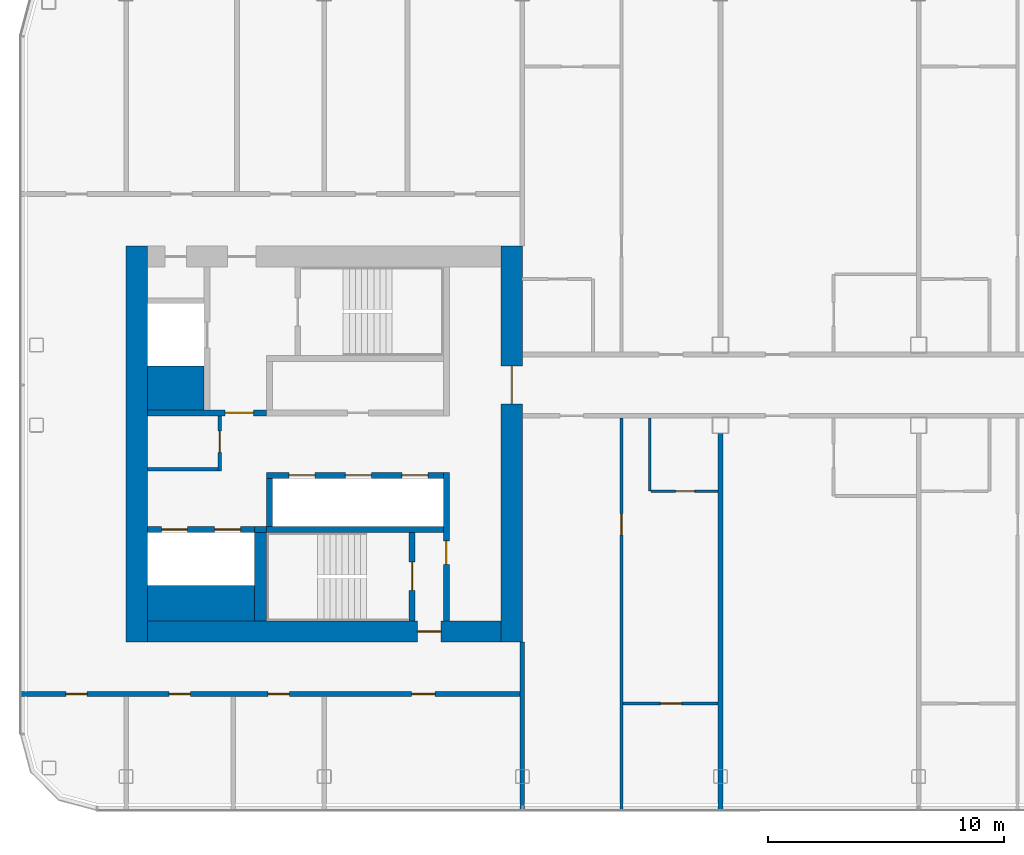
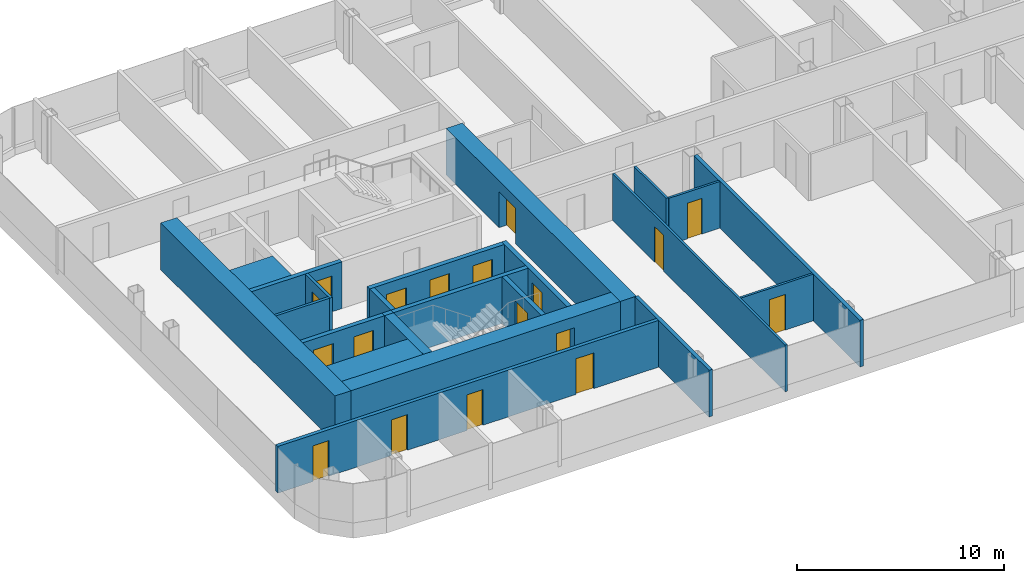
# One storey, part 13 of 26: 23 walls, 18 doors, 18 openings.
"""IFC4 building model written with IfcOpenShell, lengths in metres."""

from ifc_helpers import new_model, si_unit, direction, frame, frame_2d, origin, place, context, subcontext, project, spatial, rectangle, extrude, material, layer, layer_set, type_object, element, fill, save


model = new_model("IFC4")

# Units and contexts
model_context = context("Model", 3, precision=1e-05, world=origin(), true_north=direction((0.0, 1.0)))
body_context = subcontext(model_context, "Body", "Model", "MODEL_VIEW")
ifc_project = project(units=[si_unit("LENGTHUNIT", "METRE"), si_unit("AREAUNIT", "SQUARE_METRE"), si_unit("VOLUMEUNIT", "CUBIC_METRE"), si_unit("PLANEANGLEUNIT", "RADIAN"), si_unit("MASSUNIT", "GRAM", prefix="KILO")], contexts=[model_context])

# Site, building, storey
site_placement = place(None, origin())
site = spatial("IfcSite", under=ifc_project, at=site_placement, CompositionType="ELEMENT")
building_placement = place(site_placement, origin())
building = spatial("IfcBuilding", under=site, at=building_placement, Name="Hakoniwa Tower and Hamabe Station Hall", CompositionType="ELEMENT")
storey_placement = place(building_placement, frame((0.0, 0.0, 199.39990234375)))
storey = spatial("IfcBuildingStorey", under=building, at=storey_placement, Name="L56", CompositionType="ELEMENT", Elevation=199.39990234375)

# Wall, opening, door
ifc_material_1 = material(Name="Gypsum board partition", Category="gypsum")
ifc_layer_1 = layer(ifc_material_1, 0.125)
ifc_layer_set_1 = layer_set([ifc_layer_1], Name="Bathroom Partition 125")
wall_type_1 = type_object("IfcWallType", Name="Bathroom Partition 125", PredefinedType="PARTITIONING", material=ifc_layer_set_1)
wall_1_placement = place(storey_placement, frame((-11.33740234375, -2.0, 0.0), z_axis=(0.0, 0.0, 1.0), x_axis=(1.0, 0.0, 0.0)))
wall_1 = element("IfcWall", 1, at=wall_1_placement, inside=storey, type_object=wall_type_1, Name="GW-L56-007", PredefinedType="PARTITIONING", context=body_context, shape_type="SweptSolid", body=[
    extrude(rectangle(XDim=2.83740234375, YDim=0.125, at=frame_2d((1.418701171875, 0.0))), origin(), (0.0, 0.0, 1.0), 2.75),
])
opening_1_placement = place(wall_1_placement, frame((1.03759765625, 0.0, 0.0)))
opening_1 = element("IfcOpeningElement", 2, at=opening_1_placement, cuts=wall_1, Name="Opening GD-G4E0-13", PredefinedType="OPENING", context=body_context, shape_type="SweptSolid", body=[
    extrude(rectangle(XDim=0.800048828125, YDim=2.10009765625, at=frame_2d((0.39990234375, 1.050048828125))), frame((0.0, 0.072509765625, 0.0), z_axis=(0.0, -1.0, 0.0), x_axis=(1.0, 0.0, 0.0)), (0.0, 0.0, 1.0), 0.14501953125),
])
ifc_material_2 = material(Name="Timber door leaf", Category="wood")
door_type_1 = type_object("IfcDoorType", Name="Bathroom Door 800", OperationType="SINGLE_SWING_LEFT", PredefinedType="DOOR", material=ifc_material_2)
door_1_placement = place(opening_1_placement, origin())
door_1 = element("IfcDoor", 3, at=door_1_placement, inside=storey, type_object=door_type_1, Name="Door GD-G4E0-13", OperationType="SINGLE_SWING_RIGHT", OverallHeight=2.10009765625, OverallWidth=0.800048828125, PredefinedType="DOOR", context=body_context, shape_type="SweptSolid", body=[
    extrude(rectangle(XDim=0.800048828125, YDim=2.10009765625, at=frame_2d((0.39990234375, 1.050048828125))), frame((0.0, 0.02490234375, 0.0), z_axis=(0.0, -1.0, 0.0), x_axis=(1.0, 0.0, 0.0)), (0.0, 0.0, 1.0), 0.050048828125),
])
fill(opening_1, door_1)

# Wall
wall_2_placement = place(storey_placement, frame((-11.39990234375, -2.0, 0.0), z_axis=(0.0, 0.0, 1.0), x_axis=(0.0, 1.0, 0.0)))
element("IfcWall", 4, at=wall_2_placement, inside=storey, type_object=wall_type_1, Name="GW-L56-035", PredefinedType="PARTITIONING", context=body_context, shape_type="SweptSolid", body=[
    extrude(rectangle(XDim=3.10009765625, YDim=0.125, at=frame_2d((1.550048828125, 0.0))), origin(), (0.0, 0.0, 1.0), 2.75),
])

# Wall, opening, door
ifc_material_3 = material(Name="Gypsum board partition")
ifc_layer_2 = layer(ifc_material_3, 0.14990234375)
ifc_layer_set_2 = layer_set([ifc_layer_2], Name="CORE PARTITION 150 EI 60")
wall_type_2 = type_object("IfcWallType", Name="CORE PARTITION 150 EI 60", PredefinedType="PARTITIONING", material=ifc_layer_set_2)
wall_3_placement = place(storey_placement, frame((-29.625, -1.14990234375, 0.0), z_axis=(0.0, 0.0, 1.0), x_axis=(0.0, 1.0, 0.0)))
wall_3 = element("IfcWall", 5, at=wall_3_placement, inside=storey, type_object=wall_type_2, Name="Core partition PW0 west", PredefinedType="PARTITIONING", context=body_context, shape_type="SweptSolid", body=[
    extrude(rectangle(XDim=2.349853515625, YDim=0.14990234375, at=frame_2d((1.1748046875, 0.0))), origin(), (0.0, 0.0, 1.0), 2.75),
])
opening_2_placement = place(wall_3_placement, frame((0.800048828125, 0.0, 0.0)))
opening_2 = element("IfcOpeningElement", 6, at=opening_2_placement, cuts=wall_3, Name="Opening CD-W-RM1-9", PredefinedType="OPENING", context=body_context, shape_type="SweptSolid", body=[
    extrude(rectangle(XDim=0.89990234375, YDim=2.10009765625, at=frame_2d((0.449951171875, 1.050048828125))), frame((0.0, 0.0849609375, 0.0), z_axis=(0.0, -1.0, 0.0), x_axis=(1.0, 0.0, 0.0)), (0.0, 0.0, 1.0), 0.169921875),
])
ifc_material_4 = material(Name="Steel fire door", Category="steel")
door_type_2 = type_object("IfcDoorType", Name="CORE DOOR 900 FD30", OperationType="NOTDEFINED", PredefinedType="DOOR", material=ifc_material_4)
door_2_placement = place(opening_2_placement, origin())
door_2 = element("IfcDoor", 7, at=door_2_placement, inside=storey, type_object=door_type_2, Name="Store room door", OperationType="SINGLE_SWING_LEFT", OverallHeight=2.10009765625, OverallWidth=0.89990234375, PredefinedType="DOOR", context=body_context, shape_type="SweptSolid", body=[
    extrude(rectangle(XDim=0.89990234375, YDim=2.10009765625, at=frame_2d((0.449951171875, 1.050048828125))), frame((0.0, 0.02490234375, 0.0), z_axis=(0.0, -1.0, 0.0), x_axis=(1.0, 0.0, 0.0)), (0.0, 0.0, 1.0), 0.050048828125),
])
fill(opening_2, door_2)

# Wall
wall_4_placement = place(storey_placement, frame((-32.699951171875, -1.074951171875, 0.0), z_axis=(0.0, 0.0, 1.0), x_axis=(1.0, 0.0, 0.0)))
element("IfcWall", 8, at=wall_4_placement, inside=storey, type_object=wall_type_2, Name="Core partition PS west", PredefinedType="PARTITIONING", context=body_context, shape_type="SweptSolid", body=[
    extrude(rectangle(XDim=3.0, YDim=0.14990234375, at=frame_2d((1.5, 0.0))), origin(), (0.0, 0.0, 1.0), 2.75),
])

# Wall, opening, door
ifc_material_5 = material(Name="Concrete C60", Category="concrete")
ifc_layer_3 = layer(ifc_material_5, 0.89990234375)
ifc_layer_set_3 = layer_set([ifc_layer_3], Name="CORE WALL 900 C60")
wall_type_3 = type_object("IfcWallType", Name="CORE WALL 900 C60", PredefinedType="SHEAR", material=ifc_layer_set_3)
wall_5_placement = place(storey_placement, frame((-17.25, -8.39990234375, 0.0), z_axis=(0.0, 0.0, 1.0), x_axis=(0.0, 1.0, 0.0)))
wall_5 = element("IfcWall", 9, at=wall_5_placement, inside=storey, type_object=wall_type_3, Name="Core wall INNER west", PredefinedType="SHEAR", context=body_context, shape_type="SweptSolid", body=[
    extrude(rectangle(XDim=16.7998046875, YDim=0.89990234375, at=frame_2d((8.39990234375, 0.0))), origin(), (0.0, 0.0, 1.0), 2.75),
])
opening_3_placement = place(wall_5_placement, frame((10.10009765625, 0.0, 0.0)))
opening_3 = element("IfcOpeningElement", 10, at=opening_3_placement, cuts=wall_5, Name="Opening CD-W-IN1-16", PredefinedType="OPENING", context=body_context, shape_type="SweptSolid", body=[
    extrude(rectangle(XDim=1.60009765625, YDim=2.10009765625, at=frame_2d((0.800048828125, 1.050048828125))), frame((0.0, 0.4599609375, 0.0), z_axis=(0.0, -1.0, 0.0), x_axis=(1.0, 0.0, 0.0)), (0.0, 0.0, 1.0), 0.919921875),
])
ifc_material_6 = material(Name="Steel fire door", Category="steel")
door_type_3 = type_object("IfcDoorType", Name="CORE DOOR 1600 FD60", OperationType="DOUBLE_DOOR_SINGLE_SWING", PredefinedType="DOOR", material=ifc_material_6)
door_3_placement = place(opening_3_placement, origin())
door_3 = element("IfcDoor", 11, at=door_3_placement, inside=storey, type_object=door_type_3, Name="Lift lobby door", OperationType="DOUBLE_DOOR_SINGLE_SWING", OverallHeight=2.10009765625, OverallWidth=1.60009765625, PredefinedType="DOOR", context=body_context, shape_type="SweptSolid", body=[
    extrude(rectangle(XDim=1.60009765625, YDim=2.10009765625, at=frame_2d((0.800048828125, 1.050048828125))), frame((0.0, 0.02490234375, 0.0), z_axis=(0.0, -1.0, 0.0), x_axis=(1.0, 0.0, 0.0)), (0.0, 0.0, 1.0), 0.050048828125),
])
fill(opening_3, door_3)

# Wall
wall_6_placement = place(storey_placement, frame((-33.14990234375, -8.39990234375, 0.0), z_axis=(0.0, 0.0, 1.0), x_axis=(0.0, 1.0, 0.0)))
element("IfcWall", 12, at=wall_6_placement, inside=storey, type_object=wall_type_3, Name="Core wall OUTER west", PredefinedType="SHEAR", context=body_context, shape_type="SweptSolid", body=[
    extrude(rectangle(XDim=16.7998046875, YDim=0.89990234375, at=frame_2d((8.39990234375, 0.0))), origin(), (0.0, 0.0, 1.0), 2.75),
])

# Wall, opening, door
wall_7_placement = place(storey_placement, frame((-32.699951171875, -7.949951171875, 0.0), z_axis=(0.0, 0.0, 1.0), x_axis=(1.0, 0.0, 0.0)))
wall_7 = element("IfcWall", 13, at=wall_7_placement, inside=storey, type_object=wall_type_3, Name="Core wall SOUTH west", PredefinedType="SHEAR", context=body_context, shape_type="SweptSolid", body=[
    extrude(rectangle(XDim=15.0, YDim=0.89990234375, at=frame_2d((7.5, 0.0))), origin(), (0.0, 0.0, 1.0), 2.75),
])
opening_4_placement = place(wall_7_placement, frame((11.449951171875, 0.0, 0.0)))
opening_4 = element("IfcOpeningElement", 14, at=opening_4_placement, cuts=wall_7, Name="Opening CD-W-FS3-10", PredefinedType="OPENING", context=body_context, shape_type="SweptSolid", body=[
    extrude(rectangle(XDim=1.0, YDim=2.10009765625, at=frame_2d((0.5, 1.050048828125))), frame((0.0, 0.4599609375, 0.0), z_axis=(0.0, -1.0, 0.0), x_axis=(1.0, 0.0, 0.0)), (0.0, 0.0, 1.0), 0.919921875),
])
ifc_material_7 = material(Name="Steel fire door", Category="steel")
door_type_4 = type_object("IfcDoorType", Name="CORE DOOR 1000 FD60", OperationType="NOTDEFINED", PredefinedType="DOOR", material=ifc_material_7)
door_4_placement = place(opening_4_placement, origin())
door_4 = element("IfcDoor", 15, at=door_4_placement, inside=storey, type_object=door_type_4, Name="Stair vestibule door", OperationType="SINGLE_SWING_RIGHT", OverallHeight=2.10009765625, OverallWidth=1.0, PredefinedType="DOOR", context=body_context, shape_type="SweptSolid", body=[
    extrude(rectangle(XDim=1.0, YDim=2.10009765625, at=frame_2d((0.5, 1.050048828125))), frame((0.0, 0.02490234375, 0.0), z_axis=(0.0, -1.0, 0.0), x_axis=(1.0, 0.0, 0.0)), (0.0, 0.0, 1.0), 0.050048828125),
])
fill(opening_4, door_4)

# Walls
ifc_material_8 = material(Name="Concrete C60", Category="concrete")
ifc_layer_4 = layer(ifc_material_8, 1.5)
ifc_layer_set_4 = layer_set([ifc_layer_4], Name="CORE WEB WALL 1500 C60")
wall_type_4 = type_object("IfcWallType", Name="CORE WEB WALL 1500 C60", PredefinedType="SHEAR", material=ifc_layer_set_4)
wall_8_placement = place(storey_placement, frame((-32.699951171875, -6.75, 0.0), z_axis=(0.0, 0.0, 1.0), x_axis=(1.0, 0.0, 0.0)))
element("IfcWall", 16, at=wall_8_placement, inside=storey, type_object=wall_type_4, Name="Core wall SER west", PredefinedType="SHEAR", context=body_context, shape_type="SweptSolid", body=[
    extrude(rectangle(XDim=4.550048828125, YDim=1.5, at=frame_2d((2.27490234375, 0.0))), origin(), (0.0, 0.0, 1.0), 2.75),
])
ifc_material_9 = material(Name="Concrete C60", Category="concrete")
ifc_layer_5 = layer(ifc_material_9, 1.85009765625)
ifc_layer_set_5 = layer_set([ifc_layer_5], Name="CORE WEB WALL 1850 C60")
wall_type_5 = type_object("IfcWallType", Name="CORE WEB WALL 1850 C60", PredefinedType="SHEAR", material=ifc_layer_set_5)
wall_9_placement = place(storey_placement, frame((-32.699951171875, 2.375, 0.0), z_axis=(0.0, 0.0, 1.0), x_axis=(1.0, 0.0, 0.0)))
element("IfcWall", 17, at=wall_9_placement, inside=storey, type_object=wall_type_5, Name="Core wall CA west", PredefinedType="SHEAR", context=body_context, shape_type="SweptSolid", body=[
    extrude(rectangle(XDim=2.39990234375, YDim=1.85009765625, at=frame_2d((1.199951171875, 0.0))), origin(), (0.0, 0.0, 1.0), 2.75),
])

# Wall, opening, door
ifc_material_10 = material(Name="Concrete C60", Category="concrete")
ifc_layer_6 = layer(ifc_material_10, 0.25)
ifc_layer_set_6 = layer_set([ifc_layer_6], Name="CORE WEB WALL 250 C60")
wall_type_6 = type_object("IfcWallType", Name="CORE WEB WALL 250 C60", PredefinedType="SHEAR", material=ifc_layer_set_6)
wall_10_placement = place(storey_placement, frame((-20.02490234375, -7.5, 0.0), z_axis=(0.0, 0.0, 1.0), x_axis=(0.0, 1.0, 0.0)))
wall_10 = element("IfcWall", 18, at=wall_10_placement, inside=storey, type_object=wall_type_6, Name="Core wall W1S west", PredefinedType="SHEAR", context=body_context, shape_type="SweptSolid", body=[
    extrude(rectangle(XDim=6.300048828125, YDim=0.25, at=frame_2d((3.14990234375, 0.0))), origin(), (0.0, 0.0, 1.0), 2.75),
])
opening_5_placement = place(wall_10_placement, frame((2.39990234375, 0.0, 0.0)))
opening_5 = element("IfcOpeningElement", 19, at=opening_5_placement, cuts=wall_10, Name="Opening CD-W-VS-10", PredefinedType="OPENING", context=body_context, shape_type="SweptSolid", body=[
    extrude(rectangle(XDim=1.0, YDim=2.10009765625, at=frame_2d((0.5, 1.050048828125))), frame((0.0, 0.135009765625, 0.0), z_axis=(0.0, -1.0, 0.0), x_axis=(1.0, 0.0, 0.0)), (0.0, 0.0, 1.0), 0.27001953125),
])
door_5_placement = place(opening_5_placement, origin())
door_5 = element("IfcDoor", 20, at=door_5_placement, inside=storey, type_object=door_type_4, Name="Stair vestibule door", OperationType="SINGLE_SWING_LEFT", OverallHeight=2.10009765625, OverallWidth=1.0, PredefinedType="DOOR", context=body_context, shape_type="SweptSolid", body=[
    extrude(rectangle(XDim=1.0, YDim=2.10009765625, at=frame_2d((0.5, 1.050048828125))), frame((0.0, 0.02490234375, 0.0), z_axis=(0.0, -1.0, 0.0), x_axis=(1.0, 0.0, 0.0)), (0.0, 0.0, 1.0), 0.050048828125),
])
fill(opening_5, door_5)

wall_11_placement = place(storey_placement, frame((-32.699951171875, 1.324951171875, 0.0), z_axis=(0.0, 0.0, 1.0), x_axis=(1.0, 0.0, 0.0)))
wall_11 = element("IfcWall", 21, at=wall_11_placement, inside=storey, type_object=wall_type_6, Name="Core wall ELN west", PredefinedType="SHEAR", context=body_context, shape_type="SweptSolid", body=[
    extrude(rectangle(XDim=5.050048828125, YDim=0.25, at=frame_2d((2.52490234375, 0.0))), origin(), (0.0, 0.0, 1.0), 2.75),
])
opening_6_placement = place(wall_11_placement, frame((3.300048828125, 0.0, 0.0)))
opening_6 = element("IfcOpeningElement", 22, at=opening_6_placement, cuts=wall_11, Name="Opening CD-W-FL-12", PredefinedType="OPENING", context=body_context, shape_type="SweptSolid", body=[
    extrude(rectangle(XDim=1.199951171875, YDim=2.10009765625, at=frame_2d((0.60009765625, 1.050048828125))), frame((0.0, 0.135009765625, 0.0), z_axis=(0.0, -1.0, 0.0), x_axis=(1.0, 0.0, 0.0)), (0.0, 0.0, 1.0), 0.27001953125),
])
ifc_material_11 = material(Name="Steel fire door", Category="steel")
door_type_5 = type_object("IfcDoorType", Name="CORE DOOR 1200 FD60", OperationType="DOUBLE_DOOR_SINGLE_SWING", PredefinedType="DOOR", material=ifc_material_11)
door_6_placement = place(opening_6_placement, origin())
door_6 = element("IfcDoor", 23, at=door_6_placement, inside=storey, type_object=door_type_5, Name="Stair vestibule door to the fire-fighting lobby", OperationType="DOUBLE_DOOR_SINGLE_SWING", OverallHeight=2.10009765625, OverallWidth=1.199951171875, PredefinedType="DOOR", context=body_context, shape_type="SweptSolid", body=[
    extrude(rectangle(XDim=1.199951171875, YDim=2.10009765625, at=frame_2d((0.60009765625, 1.050048828125))), frame((0.0, 0.02490234375, 0.0), z_axis=(0.0, -1.0, 0.0), x_axis=(1.0, 0.0, 0.0)), (0.0, 0.0, 1.0), 0.050048828125),
])
fill(opening_6, door_6)

# Wall, openings, doors
wall_12_placement = place(storey_placement, frame((-27.64990234375, -1.324951171875, 0.0), z_axis=(0.0, 0.0, 1.0), x_axis=(1.0, 0.0, 0.0)))
wall_12 = element("IfcWall", 24, at=wall_12_placement, inside=storey, type_object=wall_type_6, Name="Core wall SF west", PredefinedType="SHEAR", context=body_context, shape_type="SweptSolid", body=[
    extrude(rectangle(XDim=7.5, YDim=0.25, at=frame_2d((3.75, 0.0))), origin(), (0.0, 0.0, 1.0), 2.75),
])
opening_7_placement = place(wall_12_placement, frame((5.75, 0.0, 0.0)))
opening_7 = element("IfcOpeningElement", 25, at=opening_7_placement, cuts=wall_12, Name="Opening LD-HR1", PredefinedType="OPENING", context=body_context, shape_type="SweptSolid", body=[
    extrude(rectangle(XDim=1.10009765625, YDim=2.10009765625, at=frame_2d((0.550048828125, 1.050048828125))), frame((0.0, 0.135009765625, 0.0), z_axis=(0.0, -1.0, 0.0), x_axis=(1.0, 0.0, 0.0)), (0.0, 0.0, 1.0), 0.27001953125),
])
opening_8_placement = place(wall_12_placement, frame((3.35009765625, 0.0, 0.0)))
opening_8 = element("IfcOpeningElement", 26, at=opening_8_placement, cuts=wall_12, Name="Opening LD-HR2", PredefinedType="OPENING", context=body_context, shape_type="SweptSolid", body=[
    extrude(rectangle(XDim=1.10009765625, YDim=2.10009765625, at=frame_2d((0.550048828125, 1.050048828125))), frame((0.0, 0.135009765625, 0.0), z_axis=(0.0, -1.0, 0.0), x_axis=(1.0, 0.0, 0.0)), (0.0, 0.0, 1.0), 0.27001953125),
])
opening_9_placement = place(wall_12_placement, frame((0.949951171875, 0.0, 0.0)))
opening_9 = element("IfcOpeningElement", 27, at=opening_9_placement, cuts=wall_12, Name="Opening LD-HR3", PredefinedType="OPENING", context=body_context, shape_type="SweptSolid", body=[
    extrude(rectangle(XDim=1.10009765625, YDim=2.10009765625, at=frame_2d((0.550048828125, 1.050048828125))), frame((0.0, 0.135009765625, 0.0), z_axis=(0.0, -1.0, 0.0), x_axis=(1.0, 0.0, 0.0)), (0.0, 0.0, 1.0), 0.27001953125),
])
ifc_material_12 = material(Name="Stainless steel SUS304", Category="steel")
door_type_6 = type_object("IfcDoorType", Name="LIFT LANDING DOOR 1100 FD60", OperationType="DOUBLE_DOOR_SLIDING", PredefinedType="DOOR", material=ifc_material_12)
door_7_placement = place(opening_7_placement, origin())
door_7 = element("IfcDoor", 28, at=door_7_placement, inside=storey, type_object=door_type_6, Name="Lift landing door HR1 L56", OperationType="DOUBLE_DOOR_SLIDING", OverallHeight=2.10009765625, OverallWidth=1.10009765625, PredefinedType="DOOR", context=body_context, shape_type="SweptSolid", body=[
    extrude(rectangle(XDim=1.10009765625, YDim=2.10009765625, at=frame_2d((0.550048828125, 1.050048828125))), frame((0.0, 0.02490234375, 0.0), z_axis=(0.0, -1.0, 0.0), x_axis=(1.0, 0.0, 0.0)), (0.0, 0.0, 1.0), 0.050048828125),
])
fill(opening_7, door_7)
door_8_placement = place(opening_8_placement, origin())
door_8 = element("IfcDoor", 29, at=door_8_placement, inside=storey, type_object=door_type_6, Name="Lift landing door HR2 L56", OperationType="DOUBLE_DOOR_SLIDING", OverallHeight=2.10009765625, OverallWidth=1.10009765625, PredefinedType="DOOR", context=body_context, shape_type="SweptSolid", body=[
    extrude(rectangle(XDim=1.10009765625, YDim=2.10009765625, at=frame_2d((0.550048828125, 1.050048828125))), frame((0.0, 0.02490234375, 0.0), z_axis=(0.0, -1.0, 0.0), x_axis=(1.0, 0.0, 0.0)), (0.0, 0.0, 1.0), 0.050048828125),
])
fill(opening_8, door_8)
door_9_placement = place(opening_9_placement, origin())
door_9 = element("IfcDoor", 30, at=door_9_placement, inside=storey, type_object=door_type_6, Name="Lift landing door HR3 L56", OperationType="DOUBLE_DOOR_SLIDING", OverallHeight=2.10009765625, OverallWidth=1.10009765625, PredefinedType="DOOR", context=body_context, shape_type="SweptSolid", body=[
    extrude(rectangle(XDim=1.10009765625, YDim=2.10009765625, at=frame_2d((0.550048828125, 1.050048828125))), frame((0.0, 0.02490234375, 0.0), z_axis=(0.0, -1.0, 0.0), x_axis=(1.0, 0.0, 0.0)), (0.0, 0.0, 1.0), 0.050048828125),
])
fill(opening_9, door_9)

# Walls
wall_13_placement = place(storey_placement, frame((-27.52490234375, -3.5, 0.0), z_axis=(0.0, 0.0, 1.0), x_axis=(0.0, 1.0, 0.0)))
element("IfcWall", 31, at=wall_13_placement, inside=storey, type_object=wall_type_6, Name="Core wall SE west", PredefinedType="SHEAR", context=body_context, shape_type="SweptSolid", body=[
    extrude(rectangle(XDim=2.050048828125, YDim=0.25, at=frame_2d((1.02490234375, 0.0))), origin(), (0.0, 0.0, 1.0), 2.75),
])
wall_14_placement = place(storey_placement, frame((-27.64990234375, -3.625, 0.0), z_axis=(0.0, 0.0, 1.0), x_axis=(1.0, 0.0, 0.0)))
element("IfcWall", 32, at=wall_14_placement, inside=storey, type_object=wall_type_6, Name="Core wall SR west", PredefinedType="SHEAR", context=body_context, shape_type="SweptSolid", body=[
    extrude(rectangle(XDim=7.5, YDim=0.25, at=frame_2d((3.75, 0.0))), origin(), (0.0, 0.0, 1.0), 2.75),
])

# Wall, opening, door
wall_15_placement = place(storey_placement, frame((-21.47509765625, -7.5, 0.0), z_axis=(0.0, 0.0, 1.0), x_axis=(0.0, 1.0, 0.0)))
wall_15 = element("IfcWall", 33, at=wall_15_placement, inside=storey, type_object=wall_type_6, Name="Core wall VE west", PredefinedType="SHEAR", context=body_context, shape_type="SweptSolid", body=[
    extrude(rectangle(XDim=3.75, YDim=0.25, at=frame_2d((1.875, 0.0))), origin(), (0.0, 0.0, 1.0), 2.75),
])
opening_10_placement = place(wall_15_placement, frame((1.300048828125, 0.0, 0.0)))
opening_10 = element("IfcOpeningElement", 34, at=opening_10_placement, cuts=wall_15, Name="Opening CD-W-SS-12", PredefinedType="OPENING", context=body_context, shape_type="SweptSolid", body=[
    extrude(rectangle(XDim=1.199951171875, YDim=2.10009765625, at=frame_2d((0.60009765625, 1.050048828125))), frame((0.0, 0.135009765625, 0.0), z_axis=(0.0, -1.0, 0.0), x_axis=(1.0, 0.0, 0.0)), (0.0, 0.0, 1.0), 0.27001953125),
])
door_10_placement = place(opening_10_placement, origin())
door_10 = element("IfcDoor", 35, at=door_10_placement, inside=storey, type_object=door_type_5, Name="Escape stair door", OperationType="DOUBLE_DOOR_SINGLE_SWING", OverallHeight=2.10009765625, OverallWidth=1.199951171875, PredefinedType="DOOR", context=body_context, shape_type="SweptSolid", body=[
    extrude(rectangle(XDim=1.199951171875, YDim=2.10009765625, at=frame_2d((0.60009765625, 1.050048828125))), frame((0.0, 0.02490234375, 0.0), z_axis=(0.0, -1.0, 0.0), x_axis=(1.0, 0.0, 0.0)), (0.0, 0.0, 1.0), 0.050048828125),
])
fill(opening_10, door_10)

# Wall, openings, doors
wall_16_placement = place(storey_placement, frame((-32.699951171875, -3.625, 0.0), z_axis=(0.0, 0.0, 1.0), x_axis=(1.0, 0.0, 0.0)))
wall_16 = element("IfcWall", 36, at=wall_16_placement, inside=storey, type_object=wall_type_6, Name="Core wall SEF west", PredefinedType="SHEAR", context=body_context, shape_type="SweptSolid", body=[
    extrude(rectangle(XDim=4.550048828125, YDim=0.25, at=frame_2d((2.27490234375, 0.0))), origin(), (0.0, 0.0, 1.0), 2.75),
])
opening_11_placement = place(wall_16_placement, frame((2.85009765625, 0.0, 0.0)))
opening_11 = element("IfcOpeningElement", 37, at=opening_11_placement, cuts=wall_16, Name="Opening LD-SV1", PredefinedType="OPENING", context=body_context, shape_type="SweptSolid", body=[
    extrude(rectangle(XDim=1.10009765625, YDim=2.10009765625, at=frame_2d((0.550048828125, 1.050048828125))), frame((0.0, 0.135009765625, 0.0), z_axis=(0.0, -1.0, 0.0), x_axis=(1.0, 0.0, 0.0)), (0.0, 0.0, 1.0), 0.27001953125),
])
opening_12_placement = place(wall_16_placement, frame((0.60009765625, 0.0, 0.0)))
opening_12 = element("IfcOpeningElement", 38, at=opening_12_placement, cuts=wall_16, Name="Opening LD-SV2", PredefinedType="OPENING", context=body_context, shape_type="SweptSolid", body=[
    extrude(rectangle(XDim=1.10009765625, YDim=2.10009765625, at=frame_2d((0.550048828125, 1.050048828125))), frame((0.0, 0.135009765625, 0.0), z_axis=(0.0, -1.0, 0.0), x_axis=(1.0, 0.0, 0.0)), (0.0, 0.0, 1.0), 0.27001953125),
])
door_11_placement = place(opening_11_placement, origin())
door_11 = element("IfcDoor", 39, at=door_11_placement, inside=storey, type_object=door_type_6, Name="Lift landing door SV1 L56", OperationType="DOUBLE_DOOR_SLIDING", OverallHeight=2.10009765625, OverallWidth=1.10009765625, PredefinedType="DOOR", context=body_context, shape_type="SweptSolid", body=[
    extrude(rectangle(XDim=1.10009765625, YDim=2.10009765625, at=frame_2d((0.550048828125, 1.050048828125))), frame((0.0, 0.02490234375, 0.0), z_axis=(0.0, -1.0, 0.0), x_axis=(1.0, 0.0, 0.0)), (0.0, 0.0, 1.0), 0.050048828125),
])
fill(opening_11, door_11)
door_12_placement = place(opening_12_placement, origin())
door_12 = element("IfcDoor", 40, at=door_12_placement, inside=storey, type_object=door_type_6, Name="Lift landing door SV2 L56", OperationType="DOUBLE_DOOR_SLIDING", OverallHeight=2.10009765625, OverallWidth=1.10009765625, PredefinedType="DOOR", context=body_context, shape_type="SweptSolid", body=[
    extrude(rectangle(XDim=1.10009765625, YDim=2.10009765625, at=frame_2d((0.550048828125, 1.050048828125))), frame((0.0, 0.02490234375, 0.0), z_axis=(0.0, -1.0, 0.0), x_axis=(1.0, 0.0, 0.0)), (0.0, 0.0, 1.0), 0.050048828125),
])
fill(opening_12, door_12)

# Walls
wall_17_placement = place(storey_placement, frame((-28.14990234375, -3.625, 0.0), z_axis=(0.0, 0.0, 1.0), x_axis=(1.0, 0.0, 0.0)))
element("IfcWall", 41, at=wall_17_placement, inside=storey, type_object=wall_type_6, Name="Core wall SRK west", PredefinedType="SHEAR", context=body_context, shape_type="SweptSolid", body=[
    extrude(rectangle(XDim=0.5, YDim=0.25, at=frame_2d((0.25, 0.0))), origin(), (0.0, 0.0, 1.0), 2.75),
])
ifc_material_13 = material(Name="Concrete C60", Category="concrete")
ifc_layer_7 = layer(ifc_material_13, 0.5)
ifc_layer_set_7 = layer_set([ifc_layer_7], Name="CORE WEB WALL 500 C60")
wall_type_7 = type_object("IfcWallType", Name="CORE WEB WALL 500 C60", PredefinedType="SHEAR", material=ifc_layer_set_7)
wall_18_placement = place(storey_placement, frame((-27.89990234375, -7.5, 0.0), z_axis=(0.0, 0.0, 1.0), x_axis=(0.0, 1.0, 0.0)))
element("IfcWall", 42, at=wall_18_placement, inside=storey, type_object=wall_type_7, Name="Core wall SSE west", PredefinedType="SHEAR", context=body_context, shape_type="SweptSolid", body=[
    extrude(rectangle(XDim=3.75, YDim=0.5, at=frame_2d((1.875, 0.0))), origin(), (0.0, 0.0, 1.0), 2.75),
])

# Wall, openings, doors
ifc_material_14 = material(Name="Fire-rated gypsum board partition", Category="gypsum")
ifc_layer_8 = layer(ifc_material_14, 0.199951171875)
ifc_layer_set_8 = layer_set([ifc_layer_8], Name="Corridor Wall 200")
wall_type_8 = type_object("IfcWallType", Name="Corridor Wall 200", PredefinedType="PARTITIONING", material=ifc_layer_set_8)
wall_19_placement = place(storey_placement, frame((-38.10009765625, -10.60009765625, 0.0), z_axis=(0.0, 0.0, 1.0), x_axis=(1.0, 0.0, 0.0)))
wall_19 = element("IfcWall", 43, at=wall_19_placement, inside=storey, type_object=wall_type_8, Name="GW-L56-004", PredefinedType="PARTITIONING", context=body_context, shape_type="SweptSolid", body=[
    extrude(rectangle(XDim=21.300048828125, YDim=0.199951171875, at=frame_2d((10.64990234375, 0.0))), origin(), (0.0, 0.0, 1.0), 2.75),
])
opening_13_placement = place(wall_19_placement, frame((1.949951171875, 0.0, 0.0)))
opening_13 = element("IfcOpeningElement", 44, at=opening_13_placement, cuts=wall_19, Name="Opening GD-G4E0-04", PredefinedType="OPENING", context=body_context, shape_type="SweptSolid", body=[
    extrude(rectangle(XDim=0.89990234375, YDim=2.10009765625, at=frame_2d((0.449951171875, 1.050048828125))), frame((0.0, 0.10986328125, 0.0), z_axis=(0.0, -1.0, 0.0), x_axis=(1.0, 0.0, 0.0)), (0.0, 0.0, 1.0), 0.219970703125),
])
opening_14_placement = place(wall_19_placement, frame((6.320068359375, 0.0, 0.0)))
opening_14 = element("IfcOpeningElement", 45, at=opening_14_placement, cuts=wall_19, Name="Opening GD-G4E0-05", PredefinedType="OPENING", context=body_context, shape_type="SweptSolid", body=[
    extrude(rectangle(XDim=0.89990234375, YDim=2.10009765625, at=frame_2d((0.449951171875, 1.050048828125))), frame((0.0, 0.10986328125, 0.0), z_axis=(0.0, -1.0, 0.0), x_axis=(1.0, 0.0, 0.0)), (0.0, 0.0, 1.0), 0.219970703125),
])
opening_15_placement = place(wall_19_placement, frame((10.52001953125, 0.0, 0.0)))
opening_15 = element("IfcOpeningElement", 46, at=opening_15_placement, cuts=wall_19, Name="Opening GD-G4E0-06", PredefinedType="OPENING", context=body_context, shape_type="SweptSolid", body=[
    extrude(rectangle(XDim=0.89990234375, YDim=2.10009765625, at=frame_2d((0.449951171875, 1.050048828125))), frame((0.0, 0.10986328125, 0.0), z_axis=(0.0, -1.0, 0.0), x_axis=(1.0, 0.0, 0.0)), (0.0, 0.0, 1.0), 0.219970703125),
])
opening_16_placement = place(wall_19_placement, frame((16.60009765625, 0.0, 0.0)))
opening_16 = element("IfcOpeningElement", 47, at=opening_16_placement, cuts=wall_19, Name="Opening GD-G4E0-07", PredefinedType="OPENING", context=body_context, shape_type="SweptSolid", body=[
    extrude(rectangle(XDim=1.0, YDim=2.10009765625, at=frame_2d((0.5, 1.050048828125))), frame((0.0, 0.10986328125, 0.0), z_axis=(0.0, -1.0, 0.0), x_axis=(1.0, 0.0, 0.0)), (0.0, 0.0, 1.0), 0.219970703125),
])
ifc_material_15 = material(Name="Timber door leaf", Category="wood")
door_type_7 = type_object("IfcDoorType", Name="Guest Entrance Door 1000", OperationType="SINGLE_SWING_LEFT", PredefinedType="DOOR", material=ifc_material_15)
door_13_placement = place(opening_16_placement, origin())
door_13 = element("IfcDoor", 48, at=door_13_placement, inside=storey, type_object=door_type_7, Name="Door GD-G4E0-07", OperationType="SINGLE_SWING_RIGHT", OverallHeight=2.10009765625, OverallWidth=1.0, PredefinedType="DOOR", context=body_context, shape_type="SweptSolid", body=[
    extrude(rectangle(XDim=1.0, YDim=2.10009765625, at=frame_2d((0.5, 1.050048828125))), frame((0.0, 0.02490234375, 0.0), z_axis=(0.0, -1.0, 0.0), x_axis=(1.0, 0.0, 0.0)), (0.0, 0.0, 1.0), 0.050048828125),
])
fill(opening_16, door_13)
ifc_material_16 = material(Name="Timber door leaf", Category="wood")
door_type_8 = type_object("IfcDoorType", Name="Service Door 900", OperationType="SINGLE_SWING_LEFT", PredefinedType="DOOR", material=ifc_material_16)
door_14_placement = place(opening_13_placement, origin())
door_14 = element("IfcDoor", 49, at=door_14_placement, inside=storey, type_object=door_type_8, Name="Door GD-G4E0-04", OperationType="SINGLE_SWING_RIGHT", OverallHeight=2.10009765625, OverallWidth=0.89990234375, PredefinedType="DOOR", context=body_context, shape_type="SweptSolid", body=[
    extrude(rectangle(XDim=0.89990234375, YDim=2.10009765625, at=frame_2d((0.449951171875, 1.050048828125))), frame((0.0, 0.02490234375, 0.0), z_axis=(0.0, -1.0, 0.0), x_axis=(1.0, 0.0, 0.0)), (0.0, 0.0, 1.0), 0.050048828125),
])
fill(opening_13, door_14)
door_15_placement = place(opening_14_placement, origin())
door_15 = element("IfcDoor", 50, at=door_15_placement, inside=storey, type_object=door_type_8, Name="Door GD-G4E0-05", OperationType="SINGLE_SWING_RIGHT", OverallHeight=2.10009765625, OverallWidth=0.89990234375, PredefinedType="DOOR", context=body_context, shape_type="SweptSolid", body=[
    extrude(rectangle(XDim=0.89990234375, YDim=2.10009765625, at=frame_2d((0.449951171875, 1.050048828125))), frame((0.0, 0.02490234375, 0.0), z_axis=(0.0, -1.0, 0.0), x_axis=(1.0, 0.0, 0.0)), (0.0, 0.0, 1.0), 0.050048828125),
])
fill(opening_14, door_15)
door_16_placement = place(opening_15_placement, origin())
door_16 = element("IfcDoor", 51, at=door_16_placement, inside=storey, type_object=door_type_8, Name="Door GD-G4E0-06", OperationType="SINGLE_SWING_LEFT", OverallHeight=2.10009765625, OverallWidth=0.89990234375, PredefinedType="DOOR", context=body_context, shape_type="SweptSolid", body=[
    extrude(rectangle(XDim=0.89990234375, YDim=2.10009765625, at=frame_2d((0.449951171875, 1.050048828125))), frame((0.0, 0.02490234375, 0.0), z_axis=(0.0, -1.0, 0.0), x_axis=(1.0, 0.0, 0.0)), (0.0, 0.0, 1.0), 0.050048828125),
])
fill(opening_15, door_16)

# Walls
ifc_material_17 = material(Name="Fire-rated gypsum board partition", Category="gypsum")
ifc_layer_9 = layer(ifc_material_17, 0.199951171875)
ifc_layer_set_9 = layer_set([ifc_layer_9], Name="Party Wall 200")
wall_type_9 = type_object("IfcWallType", Name="Party Wall 200", PredefinedType="PARTITIONING", material=ifc_layer_set_9)
wall_20_placement = place(storey_placement, frame((-16.800048828125, -15.550048828125, 0.0), z_axis=(0.0, 0.0, 1.0), x_axis=(0.0, 1.0, 0.0)))
element("IfcWall", 52, at=wall_20_placement, inside=storey, type_object=wall_type_9, Name="GW-L56-030", PredefinedType="PARTITIONING", context=body_context, shape_type="SweptSolid", body=[
    extrude(rectangle(XDim=7.16015625, YDim=0.199951171875, at=frame_2d((3.580078125, 0.0))), origin(), (0.0, 0.0, 1.0), 2.75),
])
wall_21_placement = place(storey_placement, frame((-8.39990234375, -15.550048828125, 0.0), z_axis=(0.0, 0.0, 1.0), x_axis=(0.0, 1.0, 0.0)))
element("IfcWall", 53, at=wall_21_placement, inside=storey, type_object=wall_type_9, Name="GW-L56-036", PredefinedType="PARTITIONING", context=body_context, shape_type="SweptSolid", body=[
    extrude(rectangle(XDim=16.010009765625, YDim=0.199951171875, at=frame_2d((8.0048828125, 0.0))), origin(), (0.0, 0.0, 1.0), 2.75),
])

# Wall, opening, door
ifc_material_18 = material(Name="Gypsum board partition", Category="gypsum")
ifc_layer_10 = layer(ifc_material_18, 0.125)
ifc_layer_set_10 = layer_set([ifc_layer_10], Name="Room Partition 125")
wall_type_10 = type_object("IfcWallType", Name="Room Partition 125", PredefinedType="PARTITIONING", material=ifc_layer_set_10)
wall_22_placement = place(storey_placement, frame((-12.53759765625, -11.0, 0.0), z_axis=(0.0, 0.0, 1.0), x_axis=(1.0, 0.0, 0.0)))
wall_22 = element("IfcWall", 54, at=wall_22_placement, inside=storey, type_object=wall_type_10, Name="GW-L56-001", PredefinedType="PARTITIONING", context=body_context, shape_type="SweptSolid", body=[
    extrude(rectangle(XDim=4.03759765625, YDim=0.125, at=frame_2d((2.018798828125, 0.0))), origin(), (0.0, 0.0, 1.0), 2.75),
])
opening_17_placement = place(wall_22_placement, frame((1.58740234375, 0.0, 0.0)))
opening_17 = element("IfcOpeningElement", 55, at=opening_17_placement, cuts=wall_22, Name="Opening GD-G4E0-01", PredefinedType="OPENING", context=body_context, shape_type="SweptSolid", body=[
    extrude(rectangle(XDim=0.89990234375, YDim=2.10009765625, at=frame_2d((0.449951171875, 1.050048828125))), frame((0.0, 0.072509765625, 0.0), z_axis=(0.0, -1.0, 0.0), x_axis=(1.0, 0.0, 0.0)), (0.0, 0.0, 1.0), 0.14501953125),
])
ifc_material_19 = material(Name="Timber door leaf", Category="wood")
door_type_9 = type_object("IfcDoorType", Name="Suite Interior Door 900", OperationType="SINGLE_SWING_LEFT", PredefinedType="DOOR", material=ifc_material_19)
door_17_placement = place(opening_17_placement, origin())
door_17 = element("IfcDoor", 56, at=door_17_placement, inside=storey, type_object=door_type_9, Name="Door GD-G4E0-01", OperationType="SINGLE_SWING_RIGHT", OverallHeight=2.10009765625, OverallWidth=0.89990234375, PredefinedType="DOOR", context=body_context, shape_type="SweptSolid", body=[
    extrude(rectangle(XDim=0.89990234375, YDim=2.10009765625, at=frame_2d((0.449951171875, 1.050048828125))), frame((0.0, 0.02490234375, 0.0), z_axis=(0.0, -1.0, 0.0), x_axis=(1.0, 0.0, 0.0)), (0.0, 0.0, 1.0), 0.050048828125),
])
fill(opening_17, door_17)

wall_23_placement = place(storey_placement, frame((-12.60009765625, -15.550048828125, 0.0), z_axis=(0.0, 0.0, 1.0), x_axis=(0.0, 1.0, 0.0)))
wall_23 = element("IfcWall", 57, at=wall_23_placement, inside=storey, type_object=wall_type_10, Name="GW-L56-033", PredefinedType="PARTITIONING", context=body_context, shape_type="SweptSolid", body=[
    extrude(rectangle(XDim=16.650146484375, YDim=0.125, at=frame_2d((8.3251953125, 0.0))), origin(), (0.0, 0.0, 1.0), 2.75),
])
opening_18_placement = place(wall_23_placement, frame((11.699951171875, 0.0, 0.0)))
opening_18 = element("IfcOpeningElement", 58, at=opening_18_placement, cuts=wall_23, Name="Opening GD-G4E0-40", PredefinedType="OPENING", context=body_context, shape_type="SweptSolid", body=[
    extrude(rectangle(XDim=0.89990234375, YDim=2.10009765625, at=frame_2d((0.449951171875, 1.050048828125))), frame((0.0, 0.072509765625, 0.0), z_axis=(0.0, -1.0, 0.0), x_axis=(1.0, 0.0, 0.0)), (0.0, 0.0, 1.0), 0.14501953125),
])
door_18_placement = place(opening_18_placement, origin())
door_18 = element("IfcDoor", 59, at=door_18_placement, inside=storey, type_object=door_type_9, Name="Door GD-G4E0-40", OperationType="SINGLE_SWING_LEFT", OverallHeight=2.10009765625, OverallWidth=0.89990234375, PredefinedType="DOOR", context=body_context, shape_type="SweptSolid", body=[
    extrude(rectangle(XDim=0.89990234375, YDim=2.10009765625, at=frame_2d((0.449951171875, 1.050048828125))), frame((0.0, 0.02490234375, 0.0), z_axis=(0.0, -1.0, 0.0), x_axis=(1.0, 0.0, 0.0)), (0.0, 0.0, 1.0), 0.050048828125),
])
fill(opening_18, door_18)

save(model, "model.ifc")
